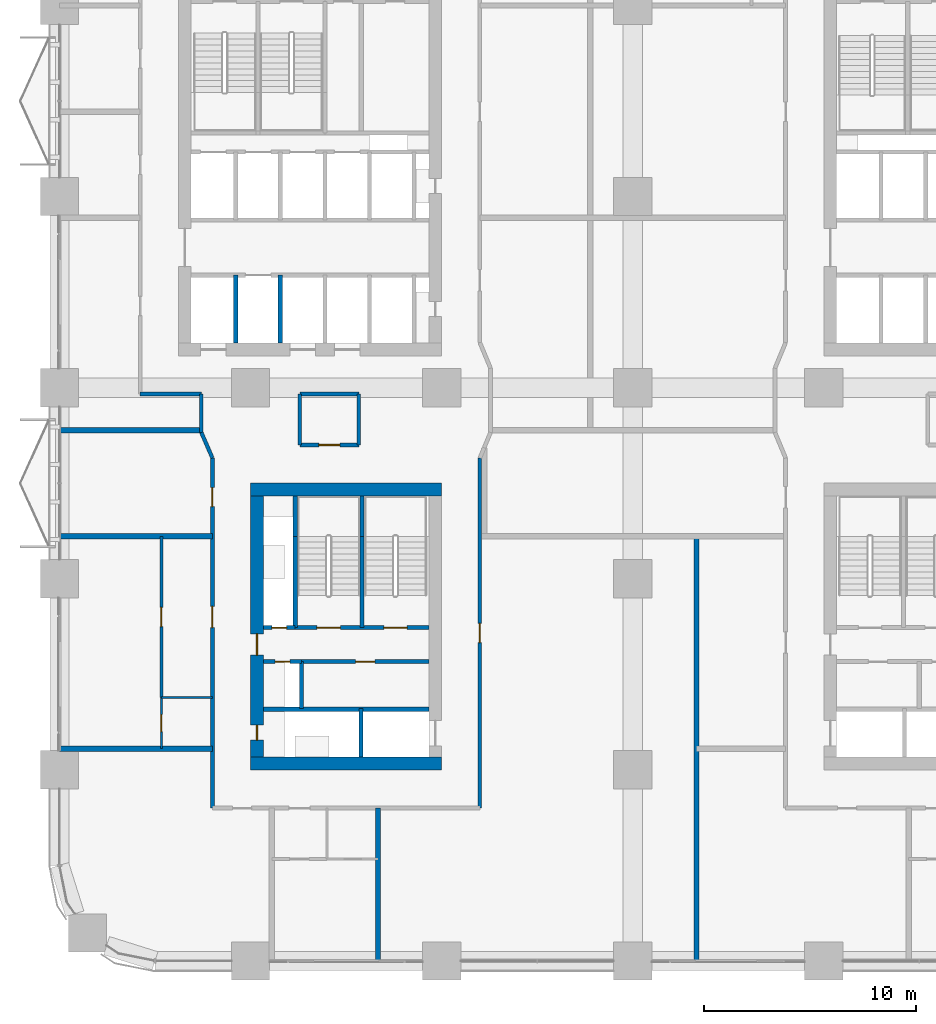
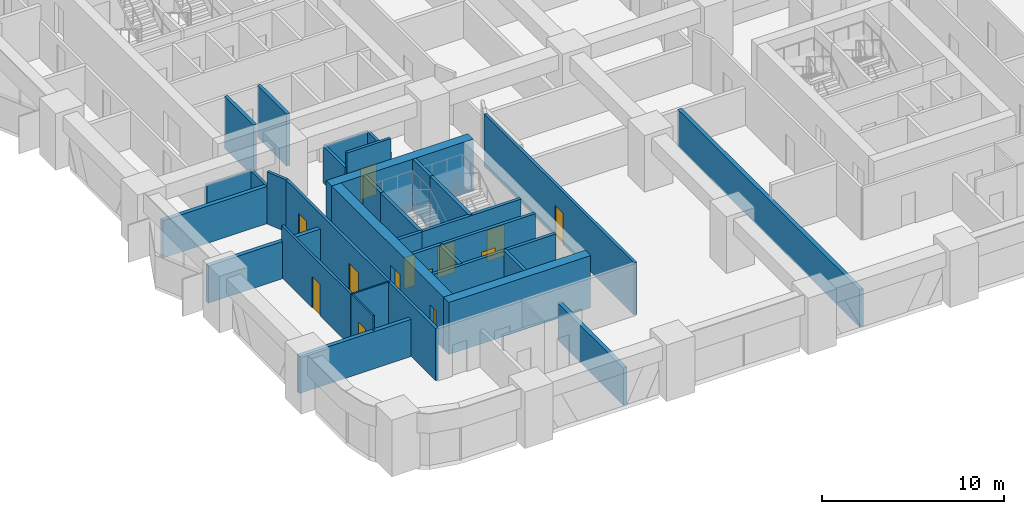
# One storey, part 12 of 21: 33 walls, 13 doors, 13 openings.
"""IFC4 building model written with IfcOpenShell, lengths in metres."""

from ifc_helpers import new_model, si_unit, direction, frame, frame_2d, origin, place, context, subcontext, project, spatial, rectangle, extrude, material, layer, layer_set, type_object, element, fill, save


model = new_model("IFC4")

# Units and contexts
model_context = context("Model", 3, precision=1e-05, world=origin(), true_north=direction((0.0, 1.0)))
body_context = subcontext(model_context, "Body", "Model", "MODEL_VIEW")
ifc_project = project(units=[si_unit("LENGTHUNIT", "METRE"), si_unit("AREAUNIT", "SQUARE_METRE"), si_unit("VOLUMEUNIT", "CUBIC_METRE"), si_unit("PLANEANGLEUNIT", "RADIAN"), si_unit("MASSUNIT", "GRAM", prefix="KILO")], contexts=[model_context])

# Site, building, storey
site_placement = place(None, origin())
site = spatial("IfcSite", under=ifc_project, at=site_placement, CompositionType="ELEMENT")
building_placement = place(site_placement, origin())
building = spatial("IfcBuilding", under=site, at=building_placement, Name="Tessera Arch", CompositionType="ELEMENT")
storey_placement = place(building_placement, frame((0.0, 0.0, 42.39990234375)))
storey = spatial("IfcBuildingStorey", under=building, at=storey_placement, Name="L08", CompositionType="ELEMENT", Elevation=42.39990234375)

# Wall, opening, door
ifc_material_1 = material(Name="Gypsum board on steel stud", Category="steel")
ifc_layer_1 = layer(ifc_material_1, 0.125)
ifc_layer_set_1 = layer_set([ifc_layer_1], Name="Core partition 125 EI 60")
wall_type_1 = type_object("IfcWallType", Name="Core partition 125 EI 60", PredefinedType="PARTITIONING", material=ifc_layer_set_1)
wall_1_placement = place(storey_placement, frame((11.39990234375, 14.10009765625, 0.0), z_axis=(0.0, 0.0, 1.0), x_axis=(1.0, 0.0, 0.0)))
wall_1 = element("IfcWall", 1, at=wall_1_placement, inside=storey, type_object=wall_type_1, Name="L08 C4 partition wall 8", PredefinedType="PARTITIONING", context=body_context, shape_type="SweptSolid", body=[
    extrude(rectangle(XDim=6.0, YDim=0.199951171875, at=frame_2d((3.0, 0.0))), origin(), (0.0, 0.0, 1.0), 3.5),
])
opening_1_placement = place(wall_1_placement, frame((2.550048828125, 0.0, 0.0)))
opening_1 = element("IfcOpeningElement", 2, at=opening_1_placement, cuts=wall_1, Name="Opening L08-C49", PredefinedType="OPENING", context=body_context, shape_type="SweptSolid", body=[
    extrude(rectangle(XDim=0.89990234375, YDim=2.10009765625, at=frame_2d((0.449951171875, 1.050048828125))), frame((0.0, 0.10986328125, 0.0), z_axis=(0.0, -1.0, 0.0), x_axis=(1.0, 0.0, 0.0)), (0.0, 0.0, 1.0), 0.219970703125),
])
ifc_material_2 = material(Name="Steel door leaf", Category="steel")
door_type_1 = type_object("IfcDoorType", Name="Store door FD30S 900 x 2100", OperationType="SINGLE_SWING_LEFT", PredefinedType="DOOR", material=ifc_material_2)
door_1_placement = place(opening_1_placement, origin())
door_1 = element("IfcDoor", 3, at=door_1_placement, inside=storey, type_object=door_type_1, Name="L08 C4 door 8 C49 type D09", OperationType="SINGLE_SWING_RIGHT", OverallHeight=2.10009765625, OverallWidth=0.89990234375, PredefinedType="DOOR", context=body_context, shape_type="SweptSolid", body=[
    extrude(rectangle(XDim=0.89990234375, YDim=2.10009765625, at=frame_2d((0.449951171875, 1.050048828125))), frame((0.0, 0.02490234375, 0.0), z_axis=(0.0, -1.0, 0.0), x_axis=(1.0, 0.0, 0.0)), (0.0, 0.0, 1.0), 0.050048828125),
])
fill(opening_1, door_1)

# Walls
ifc_material_3 = material(Name="Concrete C70/85", Category="concrete")
ifc_layer_2 = layer(ifc_material_3, 0.60009765625)
ifc_layer_set_2 = layer_set([ifc_layer_2], Name="Core shell wall 600 C70-85")
wall_type_2 = type_object("IfcWallType", Name="Core shell wall 600 C70-85", PredefinedType="SHEAR", material=ifc_layer_set_2)
for number, where, z_axis, x_axis, name in (
    (4, (9.0, 9.300048828125, 0.0), (0.0, 0.0, 1.0), (1.0, 0.0, 0.0), "L08 C4 core wall S"),
    (5, (9.0, 22.199951171875, 0.0), (0.0, 0.0, 1.0), (1.0, 0.0, 0.0), "L08 C4 core wall N"),
):
    element("IfcWall", number, at=place(storey_placement, frame(where, z_axis=z_axis, x_axis=x_axis)), inside=storey, type_object=wall_type_2, Name=name, PredefinedType="SHEAR", context=body_context, shape_type="SweptSolid", body=[
        extrude(rectangle(XDim=9.0, YDim=0.60009765625, at=frame_2d((4.5, 0.0))), origin(), (0.0, 0.0, 1.0), 3.5),
    ])

# Wall, openings, doors
wall_2_placement = place(storey_placement, frame((9.300048828125, 9.60009765625, 0.0), z_axis=(0.0, 0.0, 1.0), x_axis=(0.0, 1.0, 0.0)))
wall_2 = element("IfcWall", 6, at=wall_2_placement, inside=storey, type_object=wall_type_2, Name="L08 C4 core wall W", PredefinedType="SHEAR", context=body_context, shape_type="SweptSolid", body=[
    extrude(rectangle(XDim=12.2998046875, YDim=0.60009765625, at=frame_2d((6.14990234375, 0.0))), origin(), (0.0, 0.0, 1.0), 3.5),
])
opening_2_placement = place(wall_2_placement, frame((0.800048828125, 0.0, 0.0)))
opening_2 = element("IfcOpeningElement", 7, at=opening_2_placement, cuts=wall_2, Name="Opening L08-C47", PredefinedType="OPENING", context=body_context, shape_type="SweptSolid", body=[
    extrude(rectangle(XDim=0.699951171875, YDim=2.10009765625, at=frame_2d((0.35009765625, 1.050048828125))), frame((0.0, 0.31005859375, 0.0), z_axis=(0.0, -1.0, 0.0), x_axis=(1.0, 0.0, 0.0)), (0.0, 0.0, 1.0), 0.6201171875),
])
opening_3_placement = place(wall_2_placement, frame((4.800048828125, 0.0, 0.0)))
opening_3 = element("IfcOpeningElement", 8, at=opening_3_placement, cuts=wall_2, Name="Opening L08-C48", PredefinedType="OPENING", context=body_context, shape_type="SweptSolid", body=[
    extrude(rectangle(XDim=1.0, YDim=2.10009765625, at=frame_2d((0.5, 1.050048828125))), frame((0.0, 0.31005859375, 0.0), z_axis=(0.0, -1.0, 0.0), x_axis=(1.0, 0.0, 0.0)), (0.0, 0.0, 1.0), 0.6201171875),
])
ifc_material_4 = material(Name="Steel door leaf", Category="steel")
door_type_2 = type_object("IfcDoorType", Name="Corridor door FD60 1000 x 2100", OperationType="SINGLE_SWING_LEFT", PredefinedType="DOOR", material=ifc_material_4)
door_2_placement = place(opening_3_placement, origin())
door_2 = element("IfcDoor", 9, at=door_2_placement, inside=storey, type_object=door_type_2, Name="L08 C4 door 7 C48 type D12", OperationType="SINGLE_SWING_LEFT", OverallHeight=2.10009765625, OverallWidth=1.0, PredefinedType="DOOR", context=body_context, shape_type="SweptSolid", body=[
    extrude(rectangle(XDim=1.0, YDim=2.10009765625, at=frame_2d((0.5, 1.050048828125))), frame((0.0, 0.02490234375, 0.0), z_axis=(0.0, -1.0, 0.0), x_axis=(1.0, 0.0, 0.0)), (0.0, 0.0, 1.0), 0.050048828125),
])
fill(opening_3, door_2)
ifc_material_5 = material(Name="Steel door leaf", Category="steel")
door_type_3 = type_object("IfcDoorType", Name="Service shaft door FD60 700 x 2100", OperationType="SINGLE_SWING_LEFT", PredefinedType="DOOR", material=ifc_material_5)
door_3_placement = place(opening_2_placement, origin())
door_3 = element("IfcDoor", 10, at=door_3_placement, inside=storey, type_object=door_type_3, Name="L08 C4 door 6 C47 type D07", OperationType="SINGLE_SWING_LEFT", OverallHeight=2.10009765625, OverallWidth=0.699951171875, PredefinedType="DOOR", context=body_context, shape_type="SweptSolid", body=[
    extrude(rectangle(XDim=0.699951171875, YDim=2.10009765625, at=frame_2d((0.35009765625, 1.050048828125))), frame((0.0, 0.02490234375, 0.0), z_axis=(0.0, -1.0, 0.0), x_axis=(1.0, 0.0, 0.0)), (0.0, 0.0, 1.0), 0.050048828125),
])
fill(opening_2, door_3)

# Wall, opening, door
ifc_material_6 = material(Name="Gypsum board on deep steel stud with mineral wool", Category="steel")
ifc_layer_3 = layer(ifc_material_6, 0.175048828125)
ifc_layer_set_3 = layer_set([ifc_layer_3], Name="Corridor wall 175 EI 60")
wall_type_3 = type_object("IfcWallType", Name="Corridor wall 175 EI 60", PredefinedType="PARTITIONING", material=ifc_layer_set_3)
wall_3_placement = place(storey_placement, frame((11.320068359375, 24.300048828125, 0.0), z_axis=(0.0, 0.0, 1.0), x_axis=(1.0, 0.0, 0.0)))
wall_3 = element("IfcWall", 11, at=wall_3_placement, inside=storey, type_object=wall_type_3, Name="L08 partition 3", PredefinedType="PARTITIONING", context=body_context, shape_type="SweptSolid", body=[
    extrude(rectangle(XDim=2.780029296875, YDim=0.175048828125, at=frame_2d((1.39013671875, 0.0))), origin(), (0.0, 0.0, 1.0), 3.5),
])
opening_4_placement = place(wall_3_placement, frame((0.889892578125, 0.0, 0.0)))
opening_4 = element("IfcOpeningElement", 12, at=opening_4_placement, cuts=wall_3, Name="Opening L08-D020", PredefinedType="OPENING", context=body_context, shape_type="SweptSolid", body=[
    extrude(rectangle(XDim=1.0, YDim=2.10009765625, at=frame_2d((0.5, 1.050048828125))), frame((0.0, 0.097412109375, 0.0), z_axis=(0.0, -1.0, 0.0), x_axis=(1.0, 0.0, 0.0)), (0.0, 0.0, 1.0), 0.195068359375),
])
ifc_material_7 = material(Name="Fire-rated door leaf")
door_type_4 = type_object("IfcDoorType", Name="Entrance door FD30S 1000 x 2100", OperationType="SINGLE_SWING_LEFT", PredefinedType="DOOR", material=ifc_material_7)
door_4_placement = place(opening_4_placement, origin())
door_4 = element("IfcDoor", 13, at=door_4_placement, inside=storey, type_object=door_type_4, Name="L08 door D020 type D03", OperationType="SINGLE_SWING_RIGHT", OverallHeight=2.10009765625, OverallWidth=1.0, PredefinedType="DOOR", context=body_context, shape_type="SweptSolid", body=[
    extrude(rectangle(XDim=1.0, YDim=2.10009765625, at=frame_2d((0.5, 1.050048828125))), frame((0.0, 0.02490234375, 0.0), z_axis=(0.0, -1.0, 0.0), x_axis=(1.0, 0.0, 0.0)), (0.0, 0.0, 1.0), 0.050048828125),
])
fill(opening_4, door_4)

# Walls
wall_4_placement = place(storey_placement, frame((3.800048828125, 26.699951171875, 0.0), z_axis=(0.0, 0.0, 1.0), x_axis=(1.0, 0.0, 0.0)))
element("IfcWall", 14, at=wall_4_placement, inside=storey, type_object=wall_type_3, Name="L08 partition 5", PredefinedType="PARTITIONING", context=body_context, shape_type="SweptSolid", body=[
    extrude(rectangle(XDim=2.8798828125, YDim=0.175048828125, at=frame_2d((1.43994140625, 0.0))), origin(), (0.0, 0.0, 1.0), 2.5),
])
wall_5_placement = place(storey_placement, frame((11.320068359375, 26.699951171875, 0.0), z_axis=(0.0, 0.0, 1.0), x_axis=(1.0, 0.0, 0.0)))
element("IfcWall", 15, at=wall_5_placement, inside=storey, type_object=wall_type_3, Name="L08 partition 6", PredefinedType="PARTITIONING", context=body_context, shape_type="SweptSolid", body=[
    extrude(rectangle(XDim=2.780029296875, YDim=0.175048828125, at=frame_2d((1.39013671875, 0.0))), origin(), (0.0, 0.0, 1.0), 2.5),
])
wall_6_placement = place(storey_placement, frame((6.679931640625, 24.889892578125, 0.0), z_axis=(0.0, 0.0, 1.0), x_axis=(0.0, 1.0, 0.0)))
element("IfcWall", 16, at=wall_6_placement, inside=storey, type_object=wall_type_3, Name="L08 partition 12", PredefinedType="PARTITIONING", context=body_context, shape_type="SweptSolid", body=[
    extrude(rectangle(XDim=1.81005859375, YDim=0.175048828125, at=frame_2d((0.905029296875, 0.0))), origin(), (0.0, 0.0, 1.0), 2.5),
])

# Wall, openings, doors
wall_7_placement = place(storey_placement, frame((7.199951171875, 7.199951171875, 0.0), z_axis=(0.0, 0.0, 1.0), x_axis=(0.0, 1.0, 0.0)))
wall_7 = element("IfcWall", 17, at=wall_7_placement, inside=storey, type_object=wall_type_3, Name="L08 partition 13", PredefinedType="PARTITIONING", context=body_context, shape_type="SweptSolid", body=[
    extrude(rectangle(XDim=16.489990234375, YDim=0.175048828125, at=frame_2d((8.2451171875, 0.0))), origin(), (0.0, 0.0, 1.0), 3.5),
])
opening_5_placement = place(wall_7_placement, frame((8.5, 0.0, 0.0)))
opening_5 = element("IfcOpeningElement", 18, at=opening_5_placement, cuts=wall_7, Name="Opening L08-D011", PredefinedType="OPENING", context=body_context, shape_type="SweptSolid", body=[
    extrude(rectangle(XDim=1.0, YDim=2.10009765625, at=frame_2d((0.5, 1.050048828125))), frame((0.0, 0.097412109375, 0.0), z_axis=(0.0, -1.0, 0.0), x_axis=(1.0, 0.0, 0.0)), (0.0, 0.0, 1.0), 0.195068359375),
])
opening_6_placement = place(wall_7_placement, frame((14.195068359375, 0.0, 0.0)))
opening_6 = element("IfcOpeningElement", 19, at=opening_6_placement, cuts=wall_7, Name="Opening L08-D018", PredefinedType="OPENING", context=body_context, shape_type="SweptSolid", body=[
    extrude(rectangle(XDim=0.89990234375, YDim=2.10009765625, at=frame_2d((0.449951171875, 1.050048828125))), frame((0.0, 0.097412109375, 0.0), z_axis=(0.0, -1.0, 0.0), x_axis=(1.0, 0.0, 0.0)), (0.0, 0.0, 1.0), 0.195068359375),
])
door_5_placement = place(opening_5_placement, origin())
door_5 = element("IfcDoor", 20, at=door_5_placement, inside=storey, type_object=door_type_4, Name="L08 door D011 type D03", OperationType="SINGLE_SWING_LEFT", OverallHeight=2.10009765625, OverallWidth=1.0, PredefinedType="DOOR", context=body_context, shape_type="SweptSolid", body=[
    extrude(rectangle(XDim=1.0, YDim=2.10009765625, at=frame_2d((0.5, 1.050048828125))), frame((0.0, 0.02490234375, 0.0), z_axis=(0.0, -1.0, 0.0), x_axis=(1.0, 0.0, 0.0)), (0.0, 0.0, 1.0), 0.050048828125),
])
fill(opening_5, door_5)
ifc_material_8 = material(Name="Timber door leaf", Category="wood")
door_type_5 = type_object("IfcDoorType", Name="Room door 900 x 2100", OperationType="SINGLE_SWING_LEFT", PredefinedType="DOOR", material=ifc_material_8)
door_6_placement = place(opening_6_placement, origin())
door_6 = element("IfcDoor", 21, at=door_6_placement, inside=storey, type_object=door_type_5, Name="L08 door D018 type D01", OperationType="SINGLE_SWING_RIGHT", OverallHeight=2.10009765625, OverallWidth=0.89990234375, PredefinedType="DOOR", context=body_context, shape_type="SweptSolid", body=[
    extrude(rectangle(XDim=0.89990234375, YDim=2.10009765625, at=frame_2d((0.449951171875, 1.050048828125))), frame((0.0, 0.02490234375, 0.0), z_axis=(0.0, -1.0, 0.0), x_axis=(1.0, 0.0, 0.0)), (0.0, 0.0, 1.0), 0.050048828125),
])
fill(opening_6, door_6)

# Walls
for number, where, z_axis, x_axis, name in (
    (22, (11.320068359375, 24.300048828125, 0.0), (0.0, 0.0, 1.0), (0.0, 1.0, 0.0), "L08 partition 14"),
    (23, (14.10009765625, 24.300048828125, 0.0), (0.0, 0.0, 1.0), (0.0, 1.0, 0.0), "L08 partition 15"),
):
    element("IfcWall", number, at=place(storey_placement, frame(where, z_axis=z_axis, x_axis=x_axis)), inside=storey, type_object=wall_type_3, Name=name, PredefinedType="PARTITIONING", context=body_context, shape_type="SweptSolid", body=[
        extrude(rectangle(XDim=2.39990234375, YDim=0.175048828125, at=frame_2d((1.199951171875, 0.0))), origin(), (0.0, 0.0, 1.0), 2.5),
    ])

# Wall, opening, door
wall_8_placement = place(storey_placement, frame((19.800048828125, 7.199951171875, 0.0), z_axis=(0.0, 0.0, 1.0), x_axis=(0.0, 1.0, 0.0)))
wall_8 = element("IfcWall", 24, at=wall_8_placement, inside=storey, type_object=wall_type_3, Name="L08 partition 16", PredefinedType="PARTITIONING", context=body_context, shape_type="SweptSolid", body=[
    extrude(rectangle(XDim=16.489990234375, YDim=0.175048828125, at=frame_2d((8.2451171875, 0.0))), origin(), (0.0, 0.0, 1.0), 3.5),
])
opening_7_placement = place(wall_8_placement, frame((7.794921875, 0.0, 0.0)))
opening_7 = element("IfcOpeningElement", 25, at=opening_7_placement, cuts=wall_8, Name="Opening L08-D010", PredefinedType="OPENING", context=body_context, shape_type="SweptSolid", body=[
    extrude(rectangle(XDim=0.89990234375, YDim=2.10009765625, at=frame_2d((0.449951171875, 1.050048828125))), frame((0.0, 0.097412109375, 0.0), z_axis=(0.0, -1.0, 0.0), x_axis=(1.0, 0.0, 0.0)), (0.0, 0.0, 1.0), 0.195068359375),
])
door_7_placement = place(opening_7_placement, origin())
door_7 = element("IfcDoor", 26, at=door_7_placement, inside=storey, type_object=door_type_5, Name="L08 door D010 type D01", OperationType="SINGLE_SWING_LEFT", OverallHeight=2.10009765625, OverallWidth=0.89990234375, PredefinedType="DOOR", context=body_context, shape_type="SweptSolid", body=[
    extrude(rectangle(XDim=0.89990234375, YDim=2.10009765625, at=frame_2d((0.449951171875, 1.050048828125))), frame((0.0, 0.02490234375, 0.0), z_axis=(0.0, -1.0, 0.0), x_axis=(1.0, 0.0, 0.0)), (0.0, 0.0, 1.0), 0.050048828125),
])
fill(opening_7, door_7)

# Wall
wall_9_placement = place(storey_placement, frame((7.199951171875, 23.68994140625, 0.0), z_axis=(0.0, 0.0, 1.0), x_axis=(-0.397633632391, 0.917544273804, 0.0)))
element("IfcWall", 27, at=wall_9_placement, inside=storey, type_object=wall_type_3, Name="L08 partition 72", PredefinedType="PARTITIONING", context=body_context, shape_type="SweptSolid", body=[
    extrude(rectangle(XDim=1.307861328125, YDim=0.175048828125, at=frame_2d((0.65380859375, 0.0))), origin(), (0.0, 0.0, 1.0), 3.5),
])

# Wall, opening, door
ifc_material_9 = material(Name="Gypsum board on steel stud", Category="steel")
ifc_layer_4 = layer(ifc_material_9, 0.14990234375)
ifc_layer_set_4 = layer_set([ifc_layer_4], Name="Partition 150")
wall_type_4 = type_object("IfcWallType", Name="Partition 150", PredefinedType="PARTITIONING", material=ifc_layer_set_4)
wall_10_placement = place(storey_placement, frame((4.800048828125, 12.39990234375, 0.0), z_axis=(0.0, 0.0, 1.0), x_axis=(0.0, 1.0, 0.0)))
wall_10 = element("IfcWall", 28, at=wall_10_placement, inside=storey, type_object=wall_type_4, Name="L08 partition 29", PredefinedType="PARTITIONING", context=body_context, shape_type="SweptSolid", body=[
    extrude(rectangle(XDim=7.60009765625, YDim=0.14990234375, at=frame_2d((3.800048828125, 0.0))), origin(), (0.0, 0.0, 1.0), 3.5),
])
opening_8_placement = place(wall_10_placement, frame((3.35009765625, 0.0, 0.0)))
opening_8 = element("IfcOpeningElement", 29, at=opening_8_placement, cuts=wall_10, Name="Opening L08-D012", PredefinedType="OPENING", context=body_context, shape_type="SweptSolid", body=[
    extrude(rectangle(XDim=0.89990234375, YDim=2.10009765625, at=frame_2d((0.449951171875, 1.050048828125))), frame((0.0, 0.0849609375, 0.0), z_axis=(0.0, -1.0, 0.0), x_axis=(1.0, 0.0, 0.0)), (0.0, 0.0, 1.0), 0.169921875),
])
door_8_placement = place(opening_8_placement, origin())
door_8 = element("IfcDoor", 30, at=door_8_placement, inside=storey, type_object=door_type_5, Name="L08 door D012 type D01", OperationType="SINGLE_SWING_RIGHT", OverallHeight=2.10009765625, OverallWidth=0.89990234375, PredefinedType="DOOR", context=body_context, shape_type="SweptSolid", body=[
    extrude(rectangle(XDim=0.89990234375, YDim=2.10009765625, at=frame_2d((0.449951171875, 1.050048828125))), frame((0.0, 0.02490234375, 0.0), z_axis=(0.0, -1.0, 0.0), x_axis=(1.0, 0.0, 0.0)), (0.0, 0.0, 1.0), 0.050048828125),
])
fill(opening_8, door_8)

# Walls
ifc_material_10 = material(Name="Double gypsum board on twin steel stud with acoustic mineral wool", Category="steel")
ifc_layer_5 = layer(ifc_material_10, 0.25)
ifc_layer_set_5 = layer_set([ifc_layer_5], Name="Party wall 250 EI 60")
wall_type_5 = type_object("IfcWallType", Name="Party wall 250 EI 60", PredefinedType="PARTITIONING", material=ifc_layer_set_5)
for number, where, z_axis, x_axis, name in (
    (31, (0.0, 10.0, 0.0), (0.0, 0.0, 1.0), (1.0, 0.0, 0.0), "L08 partition 32"),
    (32, (0.0, 20.0, 0.0), (0.0, 0.0, 1.0), (1.0, 0.0, 0.0), "L08 partition 35"),
):
    element("IfcWall", number, at=place(storey_placement, frame(where, z_axis=z_axis, x_axis=x_axis)), inside=storey, type_object=wall_type_5, Name=name, PredefinedType="PARTITIONING", context=body_context, shape_type="SweptSolid", body=[
        extrude(rectangle(XDim=7.199951171875, YDim=0.25, at=frame_2d((3.60009765625, 0.0))), origin(), (0.0, 0.0, 1.0), 2.5),
    ])
wall_11_placement = place(storey_placement, frame((0.0, 25.0, 0.0), z_axis=(0.0, 0.0, 1.0), x_axis=(1.0, 0.0, 0.0)))
element("IfcWall", 33, at=wall_11_placement, inside=storey, type_object=wall_type_5, Name="L08 partition 37", PredefinedType="PARTITIONING", context=body_context, shape_type="SweptSolid", body=[
    extrude(rectangle(XDim=6.679931640625, YDim=0.25, at=frame_2d((3.33984375, 0.0))), origin(), (0.0, 0.0, 1.0), 2.5),
])
wall_12_placement = place(storey_placement, frame((15.0, 0.0, 0.0), z_axis=(0.0, 0.0, 1.0), x_axis=(0.0, 1.0, 0.0)))
element("IfcWall", 34, at=wall_12_placement, inside=storey, type_object=wall_type_5, Name="L08 partition 50", PredefinedType="PARTITIONING", context=body_context, shape_type="SweptSolid", body=[
    extrude(rectangle(XDim=7.199951171875, YDim=0.25, at=frame_2d((3.60009765625, 0.0))), origin(), (0.0, 0.0, 1.0), 2.5),
])
wall_13_placement = place(storey_placement, frame((30.0, 0.0, 0.0), z_axis=(0.0, 0.0, 1.0), x_axis=(0.0, 1.0, 0.0)))
element("IfcWall", 35, at=wall_13_placement, inside=storey, type_object=wall_type_5, Name="L08 partition 53", PredefinedType="PARTITIONING", context=body_context, shape_type="SweptSolid", body=[
    extrude(rectangle(XDim=20.0, YDim=0.25, at=frame_2d((10.0, 0.0))), origin(), (0.0, 0.0, 1.0), 2.5),
])
ifc_material_11 = material(Name="Concrete C40/50", Category="concrete")
ifc_layer_6 = layer(ifc_material_11, 0.199951171875)
ifc_layer_set_6 = layer_set([ifc_layer_6], Name="Shaft wall 200 EI 120")
wall_type_6 = type_object("IfcWallType", Name="Shaft wall 200 EI 120", PredefinedType="SOLIDWALL", material=ifc_layer_set_6)
for number, where, z_axis, x_axis, name in (
    (36, (8.300048828125, 29.10009765625, 0.0), (0.0, 0.0, 1.0), (0.0, 1.0, 0.0), "L08 C2 shaft wall 1"),
    (37, (10.39990234375, 29.10009765625, 0.0), (0.0, 0.0, 1.0), (0.0, 1.0, 0.0), "L08 C2 shaft wall 6"),
):
    element("IfcWall", number, at=place(storey_placement, frame(where, z_axis=z_axis, x_axis=x_axis)), inside=storey, type_object=wall_type_6, Name=name, PredefinedType="SOLIDWALL", context=body_context, shape_type="SweptSolid", body=[
        extrude(rectangle(XDim=3.199951171875, YDim=0.199951171875, at=frame_2d((1.60009765625, 0.0))), origin(), (0.0, 0.0, 1.0), 3.5),
    ])
wall_14_placement = place(storey_placement, frame((11.39990234375, 11.89990234375, 0.0), z_axis=(0.0, 0.0, 1.0), x_axis=(0.0, 1.0, 0.0)))
element("IfcWall", 38, at=wall_14_placement, inside=storey, type_object=wall_type_6, Name="L08 C4 shaft wall 3", PredefinedType="SOLIDWALL", context=body_context, shape_type="SweptSolid", body=[
    extrude(rectangle(XDim=2.2001953125, YDim=0.199951171875, at=frame_2d((1.10009765625, 0.0))), origin(), (0.0, 0.0, 1.0), 3.5),
])
wall_15_placement = place(storey_placement, frame((14.199951171875, 9.60009765625, 0.0), z_axis=(0.0, 0.0, 1.0), x_axis=(0.0, 1.0, 0.0)))
element("IfcWall", 39, at=wall_15_placement, inside=storey, type_object=wall_type_6, Name="L08 C4 shaft wall 4", PredefinedType="SOLIDWALL", context=body_context, shape_type="SweptSolid", body=[
    extrude(rectangle(XDim=2.2998046875, YDim=0.199951171875, at=frame_2d((1.14990234375, 0.0))), origin(), (0.0, 0.0, 1.0), 3.5),
])
wall_16_placement = place(storey_placement, frame((9.60009765625, 11.85009765625, 0.0), z_axis=(0.0, 0.0, 1.0), x_axis=(1.0, 0.0, 0.0)))
element("IfcWall", 40, at=wall_16_placement, inside=storey, type_object=wall_type_6, Name="L08 C4 shaft wall 7", PredefinedType="SOLIDWALL", context=body_context, shape_type="SweptSolid", body=[
    extrude(rectangle(XDim=7.7998046875, YDim=0.199951171875, at=frame_2d((3.89990234375, 0.0))), origin(), (0.0, 0.0, 1.0), 3.5),
])

# Wall, opening, door
wall_17_placement = place(storey_placement, frame((9.60009765625, 14.10009765625, 0.0), z_axis=(0.0, 0.0, 1.0), x_axis=(1.0, 0.0, 0.0)))
wall_17 = element("IfcWall", 41, at=wall_17_placement, inside=storey, type_object=wall_type_6, Name="L08 C4 shaft wall 9", PredefinedType="SOLIDWALL", context=body_context, shape_type="SweptSolid", body=[
    extrude(rectangle(XDim=1.7998046875, YDim=0.199951171875, at=frame_2d((0.89990234375, 0.0))), origin(), (0.0, 0.0, 1.0), 3.5),
])
opening_9_placement = place(wall_17_placement, frame((0.550048828125, 0.0, 0.0)))
opening_9 = element("IfcOpeningElement", 42, at=opening_9_placement, cuts=wall_17, Name="Opening L08-C46", PredefinedType="OPENING", context=body_context, shape_type="SweptSolid", body=[
    extrude(rectangle(XDim=0.699951171875, YDim=2.10009765625, at=frame_2d((0.35009765625, 1.050048828125))), frame((0.0, 0.10986328125, 0.0), z_axis=(0.0, -1.0, 0.0), x_axis=(1.0, 0.0, 0.0)), (0.0, 0.0, 1.0), 0.219970703125),
])
door_9_placement = place(opening_9_placement, origin())
door_9 = element("IfcDoor", 43, at=door_9_placement, inside=storey, type_object=door_type_3, Name="L08 C4 door 5 C46 type D07", OperationType="SINGLE_SWING_LEFT", OverallHeight=2.10009765625, OverallWidth=0.699951171875, PredefinedType="DOOR", context=body_context, shape_type="SweptSolid", body=[
    extrude(rectangle(XDim=0.699951171875, YDim=2.10009765625, at=frame_2d((0.35009765625, 1.050048828125))), frame((0.0, 0.02490234375, 0.0), z_axis=(0.0, -1.0, 0.0), x_axis=(1.0, 0.0, 0.0)), (0.0, 0.0, 1.0), 0.050048828125),
])
fill(opening_9, door_9)

wall_18_placement = place(storey_placement, frame((9.60009765625, 15.699951171875, 0.0), z_axis=(0.0, 0.0, 1.0), x_axis=(1.0, 0.0, 0.0)))
wall_18 = element("IfcWall", 44, at=wall_18_placement, inside=storey, type_object=wall_type_6, Name="L08 C4 shaft wall 10", PredefinedType="SOLIDWALL", context=body_context, shape_type="SweptSolid", body=[
    extrude(rectangle(XDim=1.5, YDim=0.199951171875, at=frame_2d((0.75, 0.0))), origin(), (0.0, 0.0, 1.0), 3.5),
])
opening_10_placement = place(wall_18_placement, frame((0.39990234375, 0.0, 0.0)))
opening_10 = element("IfcOpeningElement", 45, at=opening_10_placement, cuts=wall_18, Name="Opening L08-C45", PredefinedType="OPENING", context=body_context, shape_type="SweptSolid", body=[
    extrude(rectangle(XDim=0.699951171875, YDim=2.10009765625, at=frame_2d((0.35009765625, 1.050048828125))), frame((0.0, 0.10986328125, 0.0), z_axis=(0.0, -1.0, 0.0), x_axis=(1.0, 0.0, 0.0)), (0.0, 0.0, 1.0), 0.219970703125),
])
door_10_placement = place(opening_10_placement, origin())
door_10 = element("IfcDoor", 46, at=door_10_placement, inside=storey, type_object=door_type_3, Name="L08 C4 door 4 C45 type D07", OperationType="SINGLE_SWING_LEFT", OverallHeight=2.10009765625, OverallWidth=0.699951171875, PredefinedType="DOOR", context=body_context, shape_type="SweptSolid", body=[
    extrude(rectangle(XDim=0.699951171875, YDim=2.10009765625, at=frame_2d((0.35009765625, 1.050048828125))), frame((0.0, 0.02490234375, 0.0), z_axis=(0.0, -1.0, 0.0), x_axis=(1.0, 0.0, 0.0)), (0.0, 0.0, 1.0), 0.050048828125),
])
fill(opening_10, door_10)

# Walls
ifc_material_12 = material(Name="Concrete C40/50", Category="concrete")
ifc_layer_7 = layer(ifc_material_12, 0.199951171875)
ifc_layer_set_7 = layer_set([ifc_layer_7], Name="Stair well wall 200 REI 180")
wall_type_7 = type_object("IfcWallType", Name="Stair well wall 200 REI 180", PredefinedType="SOLIDWALL", material=ifc_layer_set_7)
wall_19_placement = place(storey_placement, frame((11.10009765625, 15.699951171875, 0.0), z_axis=(0.0, 0.0, 1.0), x_axis=(0.0, 1.0, 0.0)))
element("IfcWall", 47, at=wall_19_placement, inside=storey, type_object=wall_type_7, Name="L08 C4 shaft wall 1", PredefinedType="SOLIDWALL", context=body_context, shape_type="SweptSolid", body=[
    extrude(rectangle(XDim=4.300048828125, YDim=0.199951171875, at=frame_2d((2.14990234375, 0.0))), origin(), (0.0, 0.0, 1.0), 3.5),
])
wall_20_placement = place(storey_placement, frame((11.10009765625, 20.0, 0.0), z_axis=(0.0, 0.0, 1.0), x_axis=(0.0, 1.0, 0.0)))
element("IfcWall", 48, at=wall_20_placement, inside=storey, type_object=wall_type_7, Name="L08 C4 shaft wall 2", PredefinedType="SOLIDWALL", context=body_context, shape_type="SweptSolid", body=[
    extrude(rectangle(XDim=1.89990234375, YDim=0.199951171875, at=frame_2d((0.949951171875, 0.0))), origin(), (0.0, 0.0, 1.0), 3.5),
])
wall_21_placement = place(storey_placement, frame((14.25, 15.699951171875, 0.0), z_axis=(0.0, 0.0, 1.0), x_axis=(0.0, 1.0, 0.0)))
element("IfcWall", 49, at=wall_21_placement, inside=storey, type_object=wall_type_7, Name="L08 C4 shaft wall 5", PredefinedType="SOLIDWALL", context=body_context, shape_type="SweptSolid", body=[
    extrude(rectangle(XDim=4.300048828125, YDim=0.199951171875, at=frame_2d((2.14990234375, 0.0))), origin(), (0.0, 0.0, 1.0), 3.5),
])
wall_22_placement = place(storey_placement, frame((14.25, 20.0, 0.0), z_axis=(0.0, 0.0, 1.0), x_axis=(0.0, 1.0, 0.0)))
element("IfcWall", 50, at=wall_22_placement, inside=storey, type_object=wall_type_7, Name="L08 C4 shaft wall 6", PredefinedType="SOLIDWALL", context=body_context, shape_type="SweptSolid", body=[
    extrude(rectangle(XDim=1.89990234375, YDim=0.199951171875, at=frame_2d((0.949951171875, 0.0))), origin(), (0.0, 0.0, 1.0), 3.5),
])

# Wall, openings, doors
wall_23_placement = place(storey_placement, frame((11.10009765625, 15.699951171875, 0.0), z_axis=(0.0, 0.0, 1.0), x_axis=(1.0, 0.0, 0.0)))
wall_23 = element("IfcWall", 51, at=wall_23_placement, inside=storey, type_object=wall_type_7, Name="L08 C4 shaft wall 11", PredefinedType="SOLIDWALL", context=body_context, shape_type="SweptSolid", body=[
    extrude(rectangle(XDim=6.2998046875, YDim=0.199951171875, at=frame_2d((3.14990234375, 0.0))), origin(), (0.0, 0.0, 1.0), 3.5),
])
opening_11_placement = place(wall_23_placement, frame((4.175048828125, 0.0, 0.0)))
opening_11 = element("IfcOpeningElement", 52, at=opening_11_placement, cuts=wall_23, Name="Opening L08-C43", PredefinedType="OPENING", context=body_context, shape_type="SweptSolid", body=[
    extrude(rectangle(XDim=1.10009765625, YDim=2.10009765625, at=frame_2d((0.550048828125, 1.050048828125))), frame((0.0, 0.10986328125, 0.0), z_axis=(0.0, -1.0, 0.0), x_axis=(1.0, 0.0, 0.0)), (0.0, 0.0, 1.0), 0.219970703125),
])
opening_12_placement = place(wall_23_placement, frame((1.02490234375, 0.0, 0.0)))
opening_12 = element("IfcOpeningElement", 53, at=opening_12_placement, cuts=wall_23, Name="Opening L08-C44", PredefinedType="OPENING", context=body_context, shape_type="SweptSolid", body=[
    extrude(rectangle(XDim=1.10009765625, YDim=2.10009765625, at=frame_2d((0.550048828125, 1.050048828125))), frame((0.0, 0.10986328125, 0.0), z_axis=(0.0, -1.0, 0.0), x_axis=(1.0, 0.0, 0.0)), (0.0, 0.0, 1.0), 0.219970703125),
])
ifc_material_13 = material(Name="Steel door leaf", Category="steel")
door_type_6 = type_object("IfcDoorType", Name="Stair door FD60 1100 x 2100", OperationType="SINGLE_SWING_LEFT", PredefinedType="DOOR", material=ifc_material_13)
door_11_placement = place(opening_11_placement, origin())
door_11 = element("IfcDoor", 54, at=door_11_placement, inside=storey, type_object=door_type_6, Name="L08 C4 door 2 C43 type D05", OperationType="SINGLE_SWING_RIGHT", OverallHeight=2.10009765625, OverallWidth=1.10009765625, PredefinedType="DOOR", context=body_context, shape_type="SweptSolid", body=[
    extrude(rectangle(XDim=1.10009765625, YDim=2.10009765625, at=frame_2d((0.550048828125, 1.050048828125))), frame((0.0, 0.02490234375, 0.0), z_axis=(0.0, -1.0, 0.0), x_axis=(1.0, 0.0, 0.0)), (0.0, 0.0, 1.0), 0.050048828125),
])
fill(opening_11, door_11)
door_12_placement = place(opening_12_placement, origin())
door_12 = element("IfcDoor", 55, at=door_12_placement, inside=storey, type_object=door_type_6, Name="L08 C4 door 3 C44 type D05", OperationType="SINGLE_SWING_LEFT", OverallHeight=2.10009765625, OverallWidth=1.10009765625, PredefinedType="DOOR", context=body_context, shape_type="SweptSolid", body=[
    extrude(rectangle(XDim=1.10009765625, YDim=2.10009765625, at=frame_2d((0.550048828125, 1.050048828125))), frame((0.0, 0.02490234375, 0.0), z_axis=(0.0, -1.0, 0.0), x_axis=(1.0, 0.0, 0.0)), (0.0, 0.0, 1.0), 0.050048828125),
])
fill(opening_12, door_12)

# Wall
ifc_material_14 = material(Name="Moisture-resistant board on pre-plumbed steel stud", Category="steel")
ifc_layer_8 = layer(ifc_material_14, 0.10009765625)
ifc_layer_set_8 = layer_set([ifc_layer_8], Name="Wet wall 100")
wall_type_8 = type_object("IfcWallType", Name="Wet wall 100", PredefinedType="PARTITIONING", material=ifc_layer_set_8)
wall_24_placement = place(storey_placement, frame((4.800048828125, 12.39990234375, 0.0), z_axis=(0.0, 0.0, 1.0), x_axis=(1.0, 0.0, 0.0)))
element("IfcWall", 56, at=wall_24_placement, inside=storey, type_object=wall_type_8, Name="L08 partition 60", PredefinedType="PARTITIONING", context=body_context, shape_type="SweptSolid", body=[
    extrude(rectangle(XDim=2.39990234375, YDim=0.10009765625, at=frame_2d((1.199951171875, 0.0))), origin(), (0.0, 0.0, 1.0), 3.5),
])

# Wall, opening, door
wall_25_placement = place(storey_placement, frame((4.800048828125, 10.0, 0.0), z_axis=(0.0, 0.0, 1.0), x_axis=(0.0, 1.0, 0.0)))
wall_25 = element("IfcWall", 57, at=wall_25_placement, inside=storey, type_object=wall_type_8, Name="L08 partition 63", PredefinedType="PARTITIONING", context=body_context, shape_type="SweptSolid", body=[
    extrude(rectangle(XDim=2.39990234375, YDim=0.10009765625, at=frame_2d((1.199951171875, 0.0))), origin(), (0.0, 0.0, 1.0), 3.5),
])
opening_13_placement = place(wall_25_placement, frame((0.800048828125, 0.0, 0.0)))
opening_13 = element("IfcOpeningElement", 58, at=opening_13_placement, cuts=wall_25, Name="Opening L08-D013", PredefinedType="OPENING", context=body_context, shape_type="SweptSolid", body=[
    extrude(rectangle(XDim=0.800048828125, YDim=2.10009765625, at=frame_2d((0.39990234375, 1.050048828125))), frame((0.0, 0.06005859375, 0.0), z_axis=(0.0, -1.0, 0.0), x_axis=(1.0, 0.0, 0.0)), (0.0, 0.0, 1.0), 0.1201171875),
])
ifc_material_15 = material(Name="Timber door leaf", Category="wood")
door_type_7 = type_object("IfcDoorType", Name="En-suite door 800 x 2100", OperationType="SINGLE_SWING_LEFT", PredefinedType="DOOR", material=ifc_material_15)
door_13_placement = place(opening_13_placement, origin())
door_13 = element("IfcDoor", 59, at=door_13_placement, inside=storey, type_object=door_type_7, Name="L08 door D013 type D02", OperationType="SINGLE_SWING_LEFT", OverallHeight=2.10009765625, OverallWidth=0.800048828125, PredefinedType="DOOR", context=body_context, shape_type="SweptSolid", body=[
    extrude(rectangle(XDim=0.800048828125, YDim=2.10009765625, at=frame_2d((0.39990234375, 1.050048828125))), frame((0.0, 0.02490234375, 0.0), z_axis=(0.0, -1.0, 0.0), x_axis=(1.0, 0.0, 0.0)), (0.0, 0.0, 1.0), 0.050048828125),
])
fill(opening_13, door_13)

save(model, "model.ifc")
